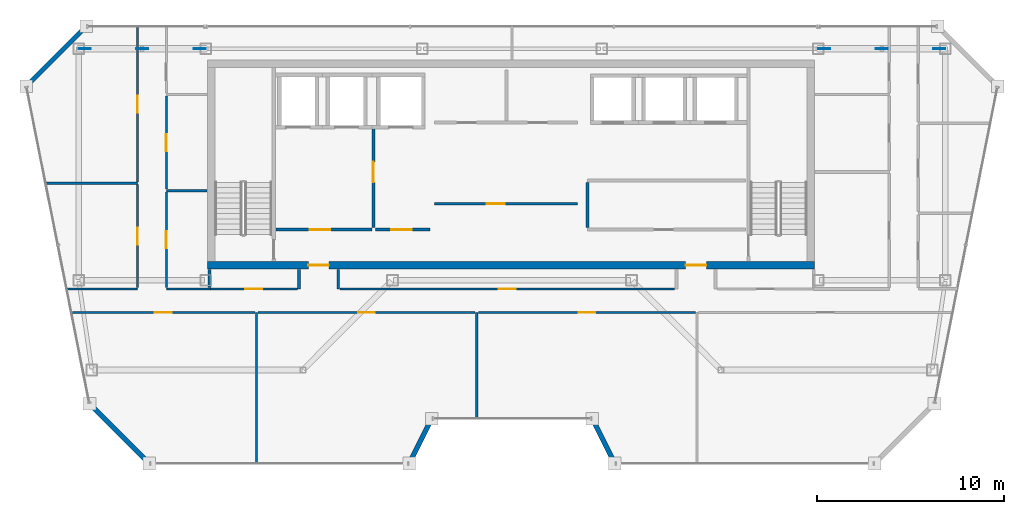
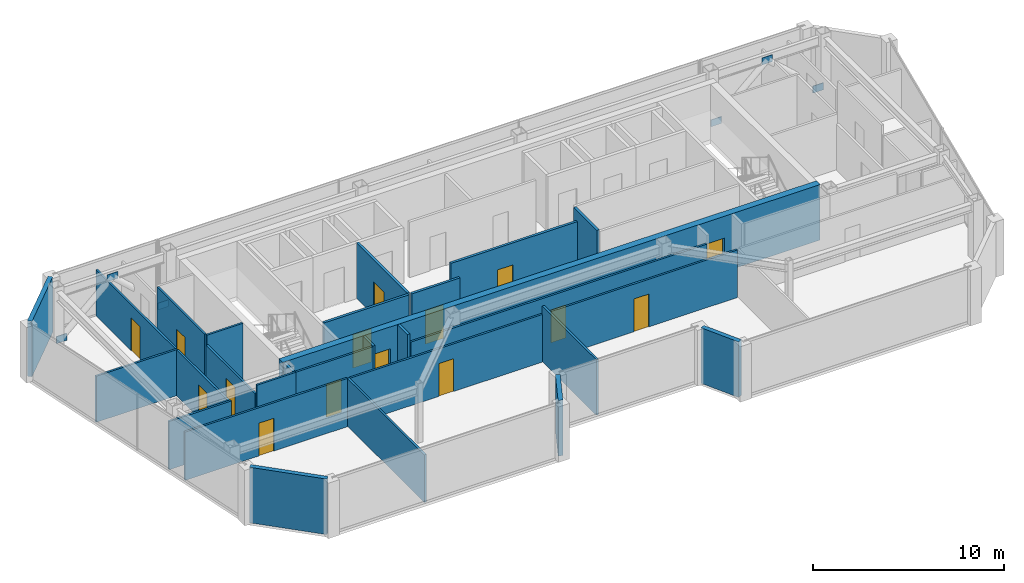
# One storey, part 18 of 23: 28 walls, 15 doors, 6 plates, 15 openings.
"""IFC4 building model written with IfcOpenShell, lengths in metres."""

from ifc_helpers import new_model, si_unit, direction, frame, frame_2d, origin, origin_2d, place, context, subcontext, project, spatial, rectangle, extrude, material, layer, layer_set, type_object, element, fill, save


model = new_model("IFC4")

# Units and contexts
model_context = context("Model", 3, precision=1e-05, world=origin(), true_north=direction((0.0, 1.0)))
body_context = subcontext(model_context, "Body", "Model", "MODEL_VIEW")
ifc_project = project(units=[si_unit("LENGTHUNIT", "METRE"), si_unit("AREAUNIT", "SQUARE_METRE"), si_unit("VOLUMEUNIT", "CUBIC_METRE"), si_unit("PLANEANGLEUNIT", "RADIAN"), si_unit("MASSUNIT", "GRAM", prefix="KILO")], contexts=[model_context])

# Site, building, storey
site_placement = place(None, origin())
site = spatial("IfcSite", under=ifc_project, at=site_placement, CompositionType="ELEMENT")
building_placement = place(site_placement, origin())
building = spatial("IfcBuilding", under=site, at=building_placement, Name="Saevonmaru Cultural Tower", CompositionType="ELEMENT")
storey_placement = place(building_placement, frame((0.0, 0.0, 302.800048828125)))
storey = spatial("IfcBuildingStorey", under=building, at=storey_placement, Name="L72", CompositionType="ELEMENT", Elevation=302.800048828125)

# Plates
ifc_material_1 = material(Name="Steel HSA600 (600 MPa)", Category="steel")
ifc_layer_1 = layer(ifc_material_1, 0.0400390625, Name="Steel HSA600 (600 MPa)")
ifc_layer_set_1 = layer_set([ifc_layer_1], Name="Steel HSA600 (600 MPa)")
plate_type = type_object("IfcPlateType", Name="PL-GUSSET-EXT", PredefinedType="USERDEFINED", material=ifc_layer_set_1)
for number, where, z_axis, x_axis, name in (
    (1, (10.199951171875, 54.800048828125, 2.89990234375), (0.0, 0.0, 1.0), (1.0, 0.0, 0.0), "L72 Perimeter Tube Gusset Plate"),
    (2, (7.1201171875, 54.800048828125, 0.02001953125), (0.0, 0.0, 1.0), (1.0, 0.0, 0.0), "L72 Perimeter Tube Gusset Plate"),
    (3, (13.280029296875, 54.800048828125, 0.02001953125), (0.0, 0.0, 1.0), (1.0, 0.0, 0.0), "L72 Perimeter Tube Gusset Plate"),
    (4, (49.800048828125, 54.800048828125, 2.89990234375), (0.0, 0.0, 1.0), (1.0, 0.0, 0.0), "L72 Perimeter Tube Gusset Plate"),
    (5, (46.719970703125, 54.800048828125, 0.02001953125), (0.0, 0.0, 1.0), (1.0, 0.0, 0.0), "L72 Perimeter Tube Gusset Plate"),
    (6, (52.8798828125, 54.800048828125, 0.02001953125), (0.0, 0.0, 1.0), (1.0, 0.0, 0.0), "L72 Perimeter Tube Gusset Plate"),
):
    element("IfcPlate", number, at=place(storey_placement, frame(where, z_axis=z_axis, x_axis=x_axis)), inside=storey, type_object=plate_type, Name=name, ObjectType="GUSSET_PLATE", PredefinedType="USERDEFINED", context=body_context, shape_type="SweptSolid", body=[
        extrude(rectangle(XDim=0.639892578125, YDim=0.0400390625, at=origin_2d()), origin(), (0.0, 0.0, 1.0), 0.43994140625),
    ])

# Wall, openings, doors
ifc_material_2 = material(Name="Concrete C50/60", Category="concrete")
ifc_layer_2 = layer(ifc_material_2, 0.39990234375, Name="Concrete C50/60")
ifc_layer_set_2 = layer_set([ifc_layer_2], Name="Concrete C50/60")
wall_type_1 = type_object("IfcWallType", Name="WL-CORE-400", PredefinedType="SHEAR", material=ifc_layer_set_2)
wall_1_placement = place(storey_placement, frame((13.699951171875, 43.199951171875, 0.0), z_axis=(0.0, 0.0, 1.0), x_axis=(1.0, 0.0, 0.0)))
wall_1 = element("IfcWall", 7, at=wall_1_placement, inside=storey, type_object=wall_type_1, Name="L72 Tower RC core shear wall S", PredefinedType="SHEAR", context=body_context, shape_type="SweptSolid", body=[
    extrude(rectangle(XDim=32.5, YDim=0.39990234375, at=frame_2d((16.25, 0.0))), origin(), (0.0, 0.0, 1.0), 3.550048828125),
])
opening_1_placement = place(wall_1_placement, frame((5.39990234375, 0.0, 0.0)))
opening_1 = element("IfcOpeningElement", 8, at=opening_1_placement, cuts=wall_1, Name="Opening FD-2", PredefinedType="OPENING", context=body_context, shape_type="SweptSolid", body=[
    extrude(rectangle(XDim=1.10009765625, YDim=2.14990234375, at=frame_2d((0.550048828125, 1.074951171875))), frame((0.0, 0.2099609375, 0.0), z_axis=(0.0, -1.0, 0.0), x_axis=(1.0, 0.0, 0.0)), (0.0, 0.0, 1.0), 0.419921875),
])
opening_2_placement = place(wall_1_placement, frame((25.60009765625, 0.0, 0.0)))
opening_2 = element("IfcOpeningElement", 9, at=opening_2_placement, cuts=wall_1, Name="Opening FD-2", PredefinedType="OPENING", context=body_context, shape_type="SweptSolid", body=[
    extrude(rectangle(XDim=1.10009765625, YDim=2.14990234375, at=frame_2d((0.550048828125, 1.074951171875))), frame((0.0, 0.2099609375, 0.0), z_axis=(0.0, -1.0, 0.0), x_axis=(1.0, 0.0, 0.0)), (0.0, 0.0, 1.0), 0.419921875),
])
ifc_material_3 = material(Name="Satin Bronze Anodised Aluminium", Category="aluminium")
door_type_1 = type_object("IfcDoorType", Name="DR-FD60-1100", OperationType="SINGLE_SWING_LEFT", PredefinedType="DOOR", material=ifc_material_3)
door_1_placement = place(opening_1_placement, origin())
door_1 = element("IfcDoor", 10, at=door_1_placement, inside=storey, type_object=door_type_1, Name="L72 Core West Lobby Fire Door", OperationType="SINGLE_SWING_LEFT", OverallHeight=2.14990234375, OverallWidth=1.10009765625, PredefinedType="DOOR", context=body_context, shape_type="SweptSolid", body=[
    extrude(rectangle(XDim=1.10009765625, YDim=2.14990234375, at=frame_2d((0.550048828125, 1.074951171875))), frame((0.0, 0.02490234375, 0.0), z_axis=(0.0, -1.0, 0.0), x_axis=(1.0, 0.0, 0.0)), (0.0, 0.0, 1.0), 0.050048828125),
])
fill(opening_1, door_1)
door_2_placement = place(opening_2_placement, origin())
door_2 = element("IfcDoor", 11, at=door_2_placement, inside=storey, type_object=door_type_1, Name="L72 Core East Lobby Fire Door", OperationType="SINGLE_SWING_LEFT", OverallHeight=2.14990234375, OverallWidth=1.10009765625, PredefinedType="DOOR", context=body_context, shape_type="SweptSolid", body=[
    extrude(rectangle(XDim=1.10009765625, YDim=2.14990234375, at=frame_2d((0.550048828125, 1.074951171875))), frame((0.0, 0.02490234375, 0.0), z_axis=(0.0, -1.0, 0.0), x_axis=(1.0, 0.0, 0.0)), (0.0, 0.0, 1.0), 0.050048828125),
])
fill(opening_2, door_2)

# Wall, opening, door
ifc_material_4 = material(Name="Gypsum Fireboard Partition", Category="gypsum")
ifc_layer_3 = layer(ifc_material_4, 0.14990234375, Name="Gypsum Fireboard Partition")
ifc_layer_set_3 = layer_set([ifc_layer_3], Name="Gypsum Fireboard Partition")
wall_type_2 = type_object("IfcWallType", Name="WL-CORE-PART-150", PredefinedType="PARTITIONING", material=ifc_layer_set_3)
wall_2_placement = place(storey_placement, frame((17.360107421875, 45.1201171875, 0.0), z_axis=(0.0, 0.0, 1.0), x_axis=(1.0, 0.0, 0.0)))
wall_2 = element("IfcWall", 12, at=wall_2_placement, inside=storey, type_object=wall_type_2, Name="L72 Firefighting Lift Lobby South Wall", PredefinedType="PARTITIONING", context=body_context, shape_type="SweptSolid", body=[
    extrude(rectangle(XDim=5.139892578125, YDim=0.14990234375, at=frame_2d((2.56982421875, 0.0))), origin(), (0.0, 0.0, 1.0), 3.550048828125),
])
opening_3_placement = place(wall_2_placement, frame((1.800048828125, 0.0, 0.0)))
opening_3 = element("IfcOpeningElement", 13, at=opening_3_placement, cuts=wall_2, Name="Opening FD-2", PredefinedType="OPENING", context=body_context, shape_type="SweptSolid", body=[
    extrude(rectangle(XDim=1.10009765625, YDim=2.14990234375, at=frame_2d((0.550048828125, 1.074951171875))), frame((0.0, 0.0849609375, 0.0), z_axis=(0.0, -1.0, 0.0), x_axis=(1.0, 0.0, 0.0)), (0.0, 0.0, 1.0), 0.169921875),
])
door_3_placement = place(opening_3_placement, origin())
door_3 = element("IfcDoor", 14, at=door_3_placement, inside=storey, type_object=door_type_1, Name="L72 Firefighting Lift Lobby South Door", OperationType="SINGLE_SWING_LEFT", OverallHeight=2.14990234375, OverallWidth=1.10009765625, PredefinedType="DOOR", context=body_context, shape_type="SweptSolid", body=[
    extrude(rectangle(XDim=1.10009765625, YDim=2.14990234375, at=frame_2d((0.550048828125, 1.074951171875))), frame((0.0, 0.02490234375, 0.0), z_axis=(0.0, -1.0, 0.0), x_axis=(1.0, 0.0, 0.0)), (0.0, 0.0, 1.0), 0.050048828125),
])
fill(opening_3, door_3)

wall_3_placement = place(storey_placement, frame((22.580078125, 50.550048828125, 0.0), z_axis=(0.0, 0.0, 1.0), x_axis=(0.0, -1.0, 0.0)))
wall_3 = element("IfcWall", 15, at=wall_3_placement, inside=storey, type_object=wall_type_2, Name="L72 Firefighting Lift Lobby East Wall", PredefinedType="PARTITIONING", context=body_context, shape_type="SweptSolid", body=[
    extrude(rectangle(XDim=5.330078125, YDim=0.14990234375, at=frame_2d((2.6650390625, 0.0))), origin(), (0.0, 0.0, 1.0), 3.550048828125),
])
opening_4_placement = place(wall_3_placement, frame((1.800048828125, 0.0, 0.0)))
opening_4 = element("IfcOpeningElement", 16, at=opening_4_placement, cuts=wall_3, Name="Opening FD-2", PredefinedType="OPENING", context=body_context, shape_type="SweptSolid", body=[
    extrude(rectangle(XDim=1.10009765625, YDim=2.14990234375, at=frame_2d((0.550048828125, 1.074951171875))), frame((0.0, 0.0849609375, 0.0), z_axis=(0.0, -1.0, 0.0), x_axis=(1.0, 0.0, 0.0)), (0.0, 0.0, 1.0), 0.169921875),
])
door_4_placement = place(opening_4_placement, origin())
door_4 = element("IfcDoor", 17, at=door_4_placement, inside=storey, type_object=door_type_1, Name="L72 Firefighting Lift Lobby East Door", OperationType="SINGLE_SWING_LEFT", OverallHeight=2.14990234375, OverallWidth=1.10009765625, PredefinedType="DOOR", context=body_context, shape_type="SweptSolid", body=[
    extrude(rectangle(XDim=1.10009765625, YDim=2.14990234375, at=frame_2d((0.550048828125, 1.074951171875))), frame((0.0, 0.02490234375, 0.0), z_axis=(0.0, -1.0, 0.0), x_axis=(1.0, 0.0, 0.0)), (0.0, 0.0, 1.0), 0.050048828125),
])
fill(opening_4, door_4)

wall_4_placement = place(storey_placement, frame((22.679931640625, 45.1201171875, 0.0), z_axis=(0.0, 0.0, 1.0), x_axis=(1.0, 0.0, 0.0)))
wall_4 = element("IfcWall", 18, at=wall_4_placement, inside=storey, type_object=wall_type_2, Name="L72 Service Lift Vestibule Wall", PredefinedType="PARTITIONING", context=body_context, shape_type="SweptSolid", body=[
    extrude(rectangle(XDim=2.920166015625, YDim=0.14990234375, at=frame_2d((1.4599609375, 0.0))), origin(), (0.0, 0.0, 1.0), 3.550048828125),
])
opening_5_placement = place(wall_4_placement, frame((0.85009765625, 0.0, 0.0)))
opening_5 = element("IfcOpeningElement", 19, at=opening_5_placement, cuts=wall_4, Name="Opening FD-2", PredefinedType="OPENING", context=body_context, shape_type="SweptSolid", body=[
    extrude(rectangle(XDim=1.10009765625, YDim=2.14990234375, at=frame_2d((0.550048828125, 1.074951171875))), frame((0.0, 0.0849609375, 0.0), z_axis=(0.0, -1.0, 0.0), x_axis=(1.0, 0.0, 0.0)), (0.0, 0.0, 1.0), 0.169921875),
])
door_5_placement = place(opening_5_placement, origin())
door_5 = element("IfcDoor", 20, at=door_5_placement, inside=storey, type_object=door_type_1, Name="L72 Service Lift Vestibule Door", OperationType="SINGLE_SWING_LEFT", OverallHeight=2.14990234375, OverallWidth=1.10009765625, PredefinedType="DOOR", context=body_context, shape_type="SweptSolid", body=[
    extrude(rectangle(XDim=1.10009765625, YDim=2.14990234375, at=frame_2d((0.550048828125, 1.074951171875))), frame((0.0, 0.02490234375, 0.0), z_axis=(0.0, -1.0, 0.0), x_axis=(1.0, 0.0, 0.0)), (0.0, 0.0, 1.0), 0.050048828125),
])
fill(opening_5, door_5)

# Wall
wall_5_placement = place(storey_placement, frame((34.050048828125, 45.219970703125, 0.0), z_axis=(0.0, 0.0, 1.0), x_axis=(0.0, 1.0, 0.0)))
element("IfcWall", 21, at=wall_5_placement, inside=storey, type_object=wall_type_2, Name="L72 Core Service West Wall", PredefinedType="PARTITIONING", context=body_context, shape_type="SweptSolid", body=[
    extrude(rectangle(XDim=2.429931640625, YDim=0.14990234375, at=frame_2d((1.21484375, 0.0))), origin(), (0.0, 0.0, 1.0), 3.550048828125),
])

# Wall, opening, door
wall_6_placement = place(storey_placement, frame((25.85009765625, 46.5, 0.0), z_axis=(0.0, 0.0, 1.0), x_axis=(1.0, 0.0, 0.0)))
wall_6 = element("IfcWall", 22, at=wall_6_placement, inside=storey, type_object=wall_type_2, Name="L72 Reclaimed Mid-Shaft Wall", PredefinedType="PARTITIONING", context=body_context, shape_type="SweptSolid", body=[
    extrude(rectangle(XDim=7.64990234375, YDim=0.14990234375, at=frame_2d((3.824951171875, 0.0))), origin(), (0.0, 0.0, 1.0), 3.550048828125),
])
opening_6_placement = place(wall_6_placement, frame((2.800048828125, 0.0, 0.0)))
opening_6 = element("IfcOpeningElement", 23, at=opening_6_placement, cuts=wall_6, Name="Opening FD-4", PredefinedType="OPENING", context=body_context, shape_type="SweptSolid", body=[
    extrude(rectangle(XDim=0.949951171875, YDim=2.14990234375, at=frame_2d((0.47509765625, 1.074951171875))), frame((0.0, 0.0849609375, 0.0), z_axis=(0.0, -1.0, 0.0), x_axis=(1.0, 0.0, 0.0)), (0.0, 0.0, 1.0), 0.169921875),
])
door_type_2 = type_object("IfcDoorType", Name="DR-FD60-950", OperationType="SINGLE_SWING_LEFT", PredefinedType="DOOR", material=ifc_material_3)
door_6_placement = place(opening_6_placement, origin())
door_6 = element("IfcDoor", 24, at=door_6_placement, inside=storey, type_object=door_type_2, Name="L72 Reclaimed Manuscript Storage Door", OperationType="SINGLE_SWING_LEFT", OverallHeight=2.14990234375, OverallWidth=0.949951171875, PredefinedType="DOOR", context=body_context, shape_type="SweptSolid", body=[
    extrude(rectangle(XDim=0.949951171875, YDim=2.14990234375, at=frame_2d((0.47509765625, 1.074951171875))), frame((0.0, 0.02490234375, 0.0), z_axis=(0.0, -1.0, 0.0), x_axis=(1.0, 0.0, 0.0)), (0.0, 0.0, 1.0), 0.050048828125),
])
fill(opening_6, door_6)

# Walls
ifc_material_5 = material(Name="Granite-Clad Precast Concrete C40/50", Category="masonry")
ifc_layer_4 = layer(ifc_material_5, 0.260009765625, Name="Granite-Clad Precast Concrete C40/50")
ifc_layer_set_4 = layer_set([ifc_layer_4], Name="Granite-Clad Precast Concrete C40/50")
wall_type_3 = type_object("IfcWallType", Name="WL-EXT-SPANDREL-260", PredefinedType="STANDARD", material=ifc_layer_set_4)
wall_7_placement = place(storey_placement, frame((7.4931640625, 35.68701171875, 0.0), z_axis=(0.0, 0.0, 1.0), x_axis=(0.70707775441, -0.707135806771, 0.0)))
element("IfcWall", 25, at=wall_7_placement, inside=storey, type_object=wall_type_3, Name="L72 Chamfer Corner Spandrel Wall E1", PredefinedType="STANDARD", context=body_context, shape_type="SweptSolid", body=[
    extrude(rectangle(XDim=4.20556640625, YDim=0.260009765625, at=frame_2d((2.102783203125, 0.0))), origin(), (0.0, 0.0, 1.0), 3.550048828125),
])
for number, where, z_axis, x_axis, name in (
    (26, (24.571533203125, 32.7431640625, 0.0), (0.0, 0.0, 1.0), (0.4472135955, 0.894427191, 0.0), "L72 Chamfer Corner Spandrel Wall E3"),
    (27, (34.37158203125, 34.85693359375, 0.0), (0.0, 0.0, 1.0), (0.4472135955, -0.894427191, 0.0), "L72 Chamfer Corner Spandrel Wall E5"),
):
    element("IfcWall", number, at=place(storey_placement, frame(where, z_axis=z_axis, x_axis=x_axis)), inside=storey, type_object=wall_type_3, Name=name, PredefinedType="STANDARD", context=body_context, shape_type="SweptSolid", body=[
        extrude(rectangle(XDim=2.36328125, YDim=0.260009765625, at=frame_2d((1.181640625, 0.0))), origin(), (0.0, 0.0, 1.0), 3.550048828125),
    ])
wall_8_placement = place(storey_placement, frame((7.0869140625, 55.886962890625, 0.0), z_axis=(0.0, 0.0, 1.0), x_axis=(-0.707106781187, -0.707106781187, 0.0)))
element("IfcWall", 28, at=wall_8_placement, inside=storey, type_object=wall_type_3, Name="L72 Chamfer Corner Spandrel Wall E11", PredefinedType="STANDARD", context=body_context, shape_type="SweptSolid", body=[
    extrude(rectangle(XDim=4.205810546875, YDim=0.260009765625, at=frame_2d((2.10302734375, 0.0))), origin(), (0.0, 0.0, 1.0), 3.550048828125),
])
ifc_layer_5 = layer(ifc_material_4, 0.14990234375, Name="Gypsum Fireboard Partition")
ifc_layer_set_5 = layer_set([ifc_layer_5], Name="Gypsum Fireboard Partition")
wall_type_4 = type_object("IfcWallType", Name="WL-PART-FIRE-150", PredefinedType="PARTITIONING", material=ifc_layer_set_5)
wall_9_placement = place(storey_placement, frame((13.800048828125, 42.02001953125, 0.0), z_axis=(0.0, 0.0, 1.0), x_axis=(0.0, 1.0, 0.0)))
element("IfcWall", 29, at=wall_9_placement, inside=storey, type_object=wall_type_4, Name="L72 Core Portal Side Wall W0", PredefinedType="PARTITIONING", context=body_context, shape_type="SweptSolid", body=[
    extrude(rectangle(XDim=0.9599609375, YDim=0.14990234375, at=frame_2d((0.47998046875, 0.0))), origin(), (0.0, 0.0, 1.0), 3.550048828125),
])
for number, where, z_axis, x_axis, name in (
    (30, (18.60009765625, 41.93994140625, 0.0), (0.0, 0.0, 1.0), (0.0, 1.0, 0.0), "L72 Core Portal Side Wall W1"),
    (31, (20.699951171875, 41.93994140625, 0.0), (0.0, 0.0, 1.0), (0.0, 1.0, 0.0), "L72 Core Portal Side Wall W2"),
):
    element("IfcWall", number, at=place(storey_placement, frame(where, z_axis=z_axis, x_axis=x_axis)), inside=storey, type_object=wall_type_4, Name=name, PredefinedType="PARTITIONING", context=body_context, shape_type="SweptSolid", body=[
        extrude(rectangle(XDim=1.0400390625, YDim=0.14990234375, at=frame_2d((0.52001953125, 0.0))), origin(), (0.0, 0.0, 1.0), 3.550048828125),
    ])
ifc_layer_6 = layer(ifc_material_4, 0.1201171875, Name="Gypsum Fireboard Partition")
ifc_layer_set_6 = layer_set([ifc_layer_6], Name="Gypsum Fireboard Partition")
wall_type_5 = type_object("IfcWallType", Name="WL-PART-GYP-120", PredefinedType="PARTITIONING", material=ifc_layer_set_6)
wall_10_placement = place(storey_placement, frame((6.164306640625, 41.93994140625, 0.0), z_axis=(0.0, 0.0, 1.0), x_axis=(1.0, 0.0, 0.0)))
element("IfcWall", 32, at=wall_10_placement, inside=storey, type_object=wall_type_5, Name="L72 NW Wing South Wall", PredefinedType="PARTITIONING", context=body_context, shape_type="SweptSolid", body=[
    extrude(rectangle(XDim=3.78564453125, YDim=0.1201171875, at=frame_2d((1.892822265625, 0.0))), origin(), (0.0, 0.0, 1.0), 3.0849609375),
])
wall_11_placement = place(storey_placement, frame((11.5, 41.93994140625, 0.0), z_axis=(0.0, 0.0, 1.0), x_axis=(1.0, 0.0, 0.0)))
element("IfcWall", 33, at=wall_11_placement, inside=storey, type_object=wall_type_5, Name="L72 NW Inner South Wall", PredefinedType="PARTITIONING", context=body_context, shape_type="SweptSolid", body=[
    extrude(rectangle(XDim=2.35009765625, YDim=0.1201171875, at=frame_2d((1.175048828125, 0.0))), origin(), (0.0, 0.0, 1.0), 3.550048828125),
])
wall_12_placement = place(storey_placement, frame((5.0390625, 47.60009765625, 0.0), z_axis=(0.0, 0.0, 1.0), x_axis=(1.0, 0.0, 0.0)))
element("IfcWall", 34, at=wall_12_placement, inside=storey, type_object=wall_type_5, Name="L72 NW Studio Divider 1", PredefinedType="PARTITIONING", context=body_context, shape_type="SweptSolid", body=[
    extrude(rectangle(XDim=4.910888671875, YDim=0.1201171875, at=frame_2d((2.45556640625, 0.0))), origin(), (0.0, 0.0, 1.0), 2.947021484375),
])

# Wall, opening, door
wall_13_placement = place(storey_placement, frame((9.949951171875, 42.02001953125, 0.0), z_axis=(0.0, 0.0, 1.0), x_axis=(0.0, 1.0, 0.0)))
wall_13 = element("IfcWall", 35, at=wall_13_placement, inside=storey, type_object=wall_type_5, Name="L72 Translation Research Office Corridor Wall", PredefinedType="PARTITIONING", context=body_context, shape_type="SweptSolid", body=[
    extrude(rectangle(XDim=5.5, YDim=0.1201171875, at=frame_2d((2.75, 0.0))), origin(), (0.0, 0.0, 1.0), 2.947021484375),
])
opening_7_placement = place(wall_13_placement, frame((2.300048828125, 0.0, 0.0)))
opening_7 = element("IfcOpeningElement", 36, at=opening_7_placement, cuts=wall_13, Name="Opening ID-2", PredefinedType="OPENING", context=body_context, shape_type="SweptSolid", body=[
    extrude(rectangle(XDim=0.89990234375, YDim=2.10009765625, at=frame_2d((0.449951171875, 1.050048828125))), frame((0.0, 0.070068359375, 0.0), z_axis=(0.0, -1.0, 0.0), x_axis=(1.0, 0.0, 0.0)), (0.0, 0.0, 1.0), 0.14013671875),
])
ifc_material_6 = material(Name="Acoustic Stained Oak Timber", Category="wood")
door_type_3 = type_object("IfcDoorType", Name="DR-INT-900", OperationType="SINGLE_SWING_RIGHT", PredefinedType="DOOR", material=ifc_material_6)
door_7_placement = place(opening_7_placement, origin())
door_7 = element("IfcDoor", 37, at=door_7_placement, inside=storey, type_object=door_type_3, Name="L72 Translation Research Office Door", OperationType="SINGLE_SWING_RIGHT", OverallHeight=2.10009765625, OverallWidth=0.89990234375, PredefinedType="DOOR", context=body_context, shape_type="SweptSolid", body=[
    extrude(rectangle(XDim=0.89990234375, YDim=2.10009765625, at=frame_2d((0.449951171875, 1.050048828125))), frame((0.0, 0.02490234375, 0.0), z_axis=(0.0, -1.0, 0.0), x_axis=(1.0, 0.0, 0.0)), (0.0, 0.0, 1.0), 0.050048828125),
])
fill(opening_7, door_7)

wall_14_placement = place(storey_placement, frame((9.949951171875, 47.679931640625, 0.0), z_axis=(0.0, 0.0, 1.0), x_axis=(0.0, 1.0, 0.0)))
wall_14 = element("IfcWall", 38, at=wall_14_placement, inside=storey, type_object=wall_type_5, Name="L72 Architecture Residency Office Corridor Wall", PredefinedType="PARTITIONING", context=body_context, shape_type="SweptSolid", body=[
    extrude(rectangle(XDim=8.315185546875, YDim=0.1201171875, at=frame_2d((4.15771484375, 0.0))), origin(), (0.0, 0.0, 1.0), 2.93505859375),
])
opening_8_placement = place(wall_14_placement, frame((3.70703125, 0.0, 0.0)))
opening_8 = element("IfcOpeningElement", 39, at=opening_8_placement, cuts=wall_14, Name="Opening ID-2", PredefinedType="OPENING", context=body_context, shape_type="SweptSolid", body=[
    extrude(rectangle(XDim=0.89990234375, YDim=2.10009765625, at=frame_2d((0.449951171875, 1.050048828125))), frame((0.0, 0.070068359375, 0.0), z_axis=(0.0, -1.0, 0.0), x_axis=(1.0, 0.0, 0.0)), (0.0, 0.0, 1.0), 0.14013671875),
])
door_8_placement = place(opening_8_placement, origin())
door_8 = element("IfcDoor", 40, at=door_8_placement, inside=storey, type_object=door_type_3, Name="L72 Architecture Residency Office Door", OperationType="SINGLE_SWING_LEFT", OverallHeight=2.10009765625, OverallWidth=0.89990234375, PredefinedType="DOOR", context=body_context, shape_type="SweptSolid", body=[
    extrude(rectangle(XDim=0.89990234375, YDim=2.10009765625, at=frame_2d((0.449951171875, 1.050048828125))), frame((0.0, 0.02490234375, 0.0), z_axis=(0.0, -1.0, 0.0), x_axis=(1.0, 0.0, 0.0)), (0.0, 0.0, 1.0), 0.050048828125),
])
fill(opening_8, door_8)

# Wall
wall_15_placement = place(storey_placement, frame((11.5, 47.199951171875, 0.0), z_axis=(0.0, 0.0, 1.0), x_axis=(1.0, 0.0, 0.0)))
element("IfcWall", 41, at=wall_15_placement, inside=storey, type_object=wall_type_5, Name="L72 NW Inner Divider", PredefinedType="PARTITIONING", context=body_context, shape_type="SweptSolid", body=[
    extrude(rectangle(XDim=2.179931640625, YDim=0.1201171875, at=frame_2d((1.08984375, 0.0))), origin(), (0.0, 0.0, 1.0), 3.550048828125),
])

# Wall, opening, door
wall_16_placement = place(storey_placement, frame((11.5, 42.02001953125, 0.0), z_axis=(0.0, 0.0, 1.0), x_axis=(0.0, 1.0, 0.0)))
wall_16 = element("IfcWall", 42, at=wall_16_placement, inside=storey, type_object=wall_type_5, Name="L72 Architecture Residency Office Corridor Wall", PredefinedType="PARTITIONING", context=body_context, shape_type="SweptSolid", body=[
    extrude(rectangle(XDim=5.10009765625, YDim=0.1201171875, at=frame_2d((2.550048828125, 0.0))), origin(), (0.0, 0.0, 1.0), 2.947021484375),
])
opening_9_placement = place(wall_16_placement, frame((2.10009765625, 0.0, 0.0)))
opening_9 = element("IfcOpeningElement", 43, at=opening_9_placement, cuts=wall_16, Name="Opening ID-2", PredefinedType="OPENING", context=body_context, shape_type="SweptSolid", body=[
    extrude(rectangle(XDim=0.89990234375, YDim=2.10009765625, at=frame_2d((0.449951171875, 1.050048828125))), frame((0.0, 0.070068359375, 0.0), z_axis=(0.0, -1.0, 0.0), x_axis=(1.0, 0.0, 0.0)), (0.0, 0.0, 1.0), 0.14013671875),
])
door_9_placement = place(opening_9_placement, origin())
door_9 = element("IfcDoor", 44, at=door_9_placement, inside=storey, type_object=door_type_3, Name="L72 Architecture Residency Office Door", OperationType="SINGLE_SWING_RIGHT", OverallHeight=2.10009765625, OverallWidth=0.89990234375, PredefinedType="DOOR", context=body_context, shape_type="SweptSolid", body=[
    extrude(rectangle(XDim=0.89990234375, YDim=2.10009765625, at=frame_2d((0.449951171875, 1.050048828125))), frame((0.0, 0.02490234375, 0.0), z_axis=(0.0, -1.0, 0.0), x_axis=(1.0, 0.0, 0.0)), (0.0, 0.0, 1.0), 0.050048828125),
])
fill(opening_9, door_9)

wall_17_placement = place(storey_placement, frame((11.5, 47.280029296875, 0.0), z_axis=(0.0, 0.0, 1.0), x_axis=(0.0, 1.0, 0.0)))
wall_17 = element("IfcWall", 45, at=wall_17_placement, inside=storey, type_object=wall_type_5, Name="L72 Literature Seminar Meeting Room Corridor Wall", PredefinedType="PARTITIONING", context=body_context, shape_type="SweptSolid", body=[
    extrude(rectangle(XDim=4.989990234375, YDim=0.1201171875, at=frame_2d((2.4951171875, 0.0))), origin(), (0.0, 0.0, 1.0), 3.550048828125),
])
opening_10_placement = place(wall_17_placement, frame((2.044921875, 0.0, 0.0)))
opening_10 = element("IfcOpeningElement", 46, at=opening_10_placement, cuts=wall_17, Name="Opening ID-2", PredefinedType="OPENING", context=body_context, shape_type="SweptSolid", body=[
    extrude(rectangle(XDim=0.89990234375, YDim=2.10009765625, at=frame_2d((0.449951171875, 1.050048828125))), frame((0.0, 0.070068359375, 0.0), z_axis=(0.0, -1.0, 0.0), x_axis=(1.0, 0.0, 0.0)), (0.0, 0.0, 1.0), 0.14013671875),
])
door_10_placement = place(opening_10_placement, origin())
door_10 = element("IfcDoor", 47, at=door_10_placement, inside=storey, type_object=door_type_3, Name="L72 Literature Seminar Meeting Room Door", OperationType="SINGLE_SWING_LEFT", OverallHeight=2.10009765625, OverallWidth=0.89990234375, PredefinedType="DOOR", context=body_context, shape_type="SweptSolid", body=[
    extrude(rectangle(XDim=0.89990234375, YDim=2.10009765625, at=frame_2d((0.449951171875, 1.050048828125))), frame((0.0, 0.02490234375, 0.0), z_axis=(0.0, -1.0, 0.0), x_axis=(1.0, 0.0, 0.0)), (0.0, 0.0, 1.0), 0.050048828125),
])
fill(opening_10, door_10)

wall_18_placement = place(storey_placement, frame((13.85009765625, 41.93994140625, 0.0), z_axis=(0.0, 0.0, 1.0), x_axis=(1.0, 0.0, 0.0)))
wall_18 = element("IfcWall", 48, at=wall_18_placement, inside=storey, type_object=wall_type_5, Name="L72 Translation Research Office Corridor Wall", PredefinedType="PARTITIONING", context=body_context, shape_type="SweptSolid", body=[
    extrude(rectangle(XDim=4.65478515625, YDim=0.1201171875, at=frame_2d((2.327392578125, 0.0))), origin(), (0.0, 0.0, 1.0), 3.550048828125),
])
opening_11_placement = place(wall_18_placement, frame((1.876953125, 0.0, 0.0)))
opening_11 = element("IfcOpeningElement", 49, at=opening_11_placement, cuts=wall_18, Name="Opening ID-2", PredefinedType="OPENING", context=body_context, shape_type="SweptSolid", body=[
    extrude(rectangle(XDim=0.89990234375, YDim=2.10009765625, at=frame_2d((0.449951171875, 1.050048828125))), frame((0.0, 0.070068359375, 0.0), z_axis=(0.0, -1.0, 0.0), x_axis=(1.0, 0.0, 0.0)), (0.0, 0.0, 1.0), 0.14013671875),
])
door_11_placement = place(opening_11_placement, origin())
door_11 = element("IfcDoor", 50, at=door_11_placement, inside=storey, type_object=door_type_3, Name="L72 Translation Research Office Door", OperationType="SINGLE_SWING_LEFT", OverallHeight=2.10009765625, OverallWidth=0.89990234375, PredefinedType="DOOR", context=body_context, shape_type="SweptSolid", body=[
    extrude(rectangle(XDim=0.89990234375, YDim=2.10009765625, at=frame_2d((0.449951171875, 1.050048828125))), frame((0.0, 0.02490234375, 0.0), z_axis=(0.0, -1.0, 0.0), x_axis=(1.0, 0.0, 0.0)), (0.0, 0.0, 1.0), 0.050048828125),
])
fill(opening_11, door_11)

wall_19_placement = place(storey_placement, frame((20.794921875, 41.93994140625, 0.0), z_axis=(0.0, 0.0, 1.0), x_axis=(1.0, 0.0, 0.0)))
wall_19 = element("IfcWall", 51, at=wall_19_placement, inside=storey, type_object=wall_type_5, Name="L72 Architecture Residency Office Corridor Wall", PredefinedType="PARTITIONING", context=body_context, shape_type="SweptSolid", body=[
    extrude(rectangle(XDim=17.91015625, YDim=0.1201171875, at=frame_2d((8.955078125, 0.0))), origin(), (0.0, 0.0, 1.0), 3.046875),
])
opening_12_placement = place(wall_19_placement, frame((8.5048828125, 0.0, 0.0)))
opening_12 = element("IfcOpeningElement", 52, at=opening_12_placement, cuts=wall_19, Name="Opening ID-2", PredefinedType="OPENING", context=body_context, shape_type="SweptSolid", body=[
    extrude(rectangle(XDim=0.89990234375, YDim=2.10009765625, at=frame_2d((0.449951171875, 1.050048828125))), frame((0.0, 0.070068359375, 0.0), z_axis=(0.0, -1.0, 0.0), x_axis=(1.0, 0.0, 0.0)), (0.0, 0.0, 1.0), 0.14013671875),
])
door_12_placement = place(opening_12_placement, origin())
door_12 = element("IfcDoor", 53, at=door_12_placement, inside=storey, type_object=door_type_3, Name="L72 Architecture Residency Office Door", OperationType="SINGLE_SWING_RIGHT", OverallHeight=2.10009765625, OverallWidth=0.89990234375, PredefinedType="DOOR", context=body_context, shape_type="SweptSolid", body=[
    extrude(rectangle(XDim=0.89990234375, YDim=2.10009765625, at=frame_2d((0.449951171875, 1.050048828125))), frame((0.0, 0.02490234375, 0.0), z_axis=(0.0, -1.0, 0.0), x_axis=(1.0, 0.0, 0.0)), (0.0, 0.0, 1.0), 0.050048828125),
])
fill(opening_12, door_12)

# Wall
wall_20_placement = place(storey_placement, frame((16.320068359375, 32.60498046875, 0.0), z_axis=(0.0, 0.0, 1.0), x_axis=(0.0, 1.0, 0.0)))
element("IfcWall", 54, at=wall_20_placement, inside=storey, type_object=wall_type_5, Name="L72 Observatory Bay Divider 1", PredefinedType="PARTITIONING", context=body_context, shape_type="SweptSolid", body=[
    extrude(rectangle(XDim=8.074951171875, YDim=0.1201171875, at=frame_2d((4.03759765625, 0.0))), origin(), (0.0, 0.0, 1.0), 3.046875),
])

# Wall, opening, door
wall_21_placement = place(storey_placement, frame((6.414794921875, 40.679931640625, 0.0), z_axis=(0.0, 0.0, 1.0), x_axis=(1.0, 0.0, 0.0)))
wall_21 = element("IfcWall", 55, at=wall_21_placement, inside=storey, type_object=wall_type_5, Name="L72 Translation Research Office Corridor Wall", PredefinedType="PARTITIONING", context=body_context, shape_type="SweptSolid", body=[
    extrude(rectangle(XDim=9.8251953125, YDim=0.1201171875, at=frame_2d((4.91259765625, 0.0))), origin(), (0.0, 0.0, 1.0), 3.0849609375),
])
opening_13_placement = place(wall_21_placement, frame((4.462890625, 0.0, 0.0)))
opening_13 = element("IfcOpeningElement", 56, at=opening_13_placement, cuts=wall_21, Name="Opening ID-2", PredefinedType="OPENING", context=body_context, shape_type="SweptSolid", body=[
    extrude(rectangle(XDim=0.89990234375, YDim=2.10009765625, at=frame_2d((0.449951171875, 1.050048828125))), frame((0.0, 0.070068359375, 0.0), z_axis=(0.0, -1.0, 0.0), x_axis=(1.0, 0.0, 0.0)), (0.0, 0.0, 1.0), 0.14013671875),
])
door_13_placement = place(opening_13_placement, origin())
door_13 = element("IfcDoor", 57, at=door_13_placement, inside=storey, type_object=door_type_3, Name="L72 Translation Research Office Door", OperationType="SINGLE_SWING_RIGHT", OverallHeight=2.10009765625, OverallWidth=0.89990234375, PredefinedType="DOOR", context=body_context, shape_type="SweptSolid", body=[
    extrude(rectangle(XDim=0.89990234375, YDim=2.10009765625, at=frame_2d((0.449951171875, 1.050048828125))), frame((0.0, 0.02490234375, 0.0), z_axis=(0.0, -1.0, 0.0), x_axis=(1.0, 0.0, 0.0)), (0.0, 0.0, 1.0), 0.050048828125),
])
fill(opening_13, door_13)

wall_22_placement = place(storey_placement, frame((16.39990234375, 40.679931640625, 0.0), z_axis=(0.0, 0.0, 1.0), x_axis=(1.0, 0.0, 0.0)))
wall_22 = element("IfcWall", 58, at=wall_22_placement, inside=storey, type_object=wall_type_5, Name="L72 Architecture Residency Office Corridor Wall", PredefinedType="PARTITIONING", context=body_context, shape_type="SweptSolid", body=[
    extrude(rectangle(XDim=11.62255859375, YDim=0.1201171875, at=frame_2d((5.811279296875, 0.0))), origin(), (0.0, 0.0, 1.0), 3.046875),
])
opening_14_placement = place(wall_22_placement, frame((5.361083984375, 0.0, 0.0)))
opening_14 = element("IfcOpeningElement", 59, at=opening_14_placement, cuts=wall_22, Name="Opening ID-2", PredefinedType="OPENING", context=body_context, shape_type="SweptSolid", body=[
    extrude(rectangle(XDim=0.89990234375, YDim=2.10009765625, at=frame_2d((0.449951171875, 1.050048828125))), frame((0.0, 0.070068359375, 0.0), z_axis=(0.0, -1.0, 0.0), x_axis=(1.0, 0.0, 0.0)), (0.0, 0.0, 1.0), 0.14013671875),
])
door_14_placement = place(opening_14_placement, origin())
door_14 = element("IfcDoor", 60, at=door_14_placement, inside=storey, type_object=door_type_3, Name="L72 Architecture Residency Office Door", OperationType="SINGLE_SWING_LEFT", OverallHeight=2.10009765625, OverallWidth=0.89990234375, PredefinedType="DOOR", context=body_context, shape_type="SweptSolid", body=[
    extrude(rectangle(XDim=0.89990234375, YDim=2.10009765625, at=frame_2d((0.449951171875, 1.050048828125))), frame((0.0, 0.02490234375, 0.0), z_axis=(0.0, -1.0, 0.0), x_axis=(1.0, 0.0, 0.0)), (0.0, 0.0, 1.0), 0.050048828125),
])
fill(opening_14, door_14)

wall_23_placement = place(storey_placement, frame((28.197509765625, 40.679931640625, 0.0), z_axis=(0.0, 0.0, 1.0), x_axis=(1.0, 0.0, 0.0)))
wall_23 = element("IfcWall", 61, at=wall_23_placement, inside=storey, type_object=wall_type_5, Name="L72 Literature Seminar Meeting Room Corridor Wall", PredefinedType="PARTITIONING", context=body_context, shape_type="SweptSolid", body=[
    extrude(rectangle(XDim=11.632568359375, YDim=0.1201171875, at=frame_2d((5.81640625, 0.0))), origin(), (0.0, 0.0, 1.0), 3.046875),
])
opening_15_placement = place(wall_23_placement, frame((5.365966796875, 0.0, 0.0)))
opening_15 = element("IfcOpeningElement", 62, at=opening_15_placement, cuts=wall_23, Name="Opening ID-2", PredefinedType="OPENING", context=body_context, shape_type="SweptSolid", body=[
    extrude(rectangle(XDim=0.89990234375, YDim=2.10009765625, at=frame_2d((0.449951171875, 1.050048828125))), frame((0.0, 0.070068359375, 0.0), z_axis=(0.0, -1.0, 0.0), x_axis=(1.0, 0.0, 0.0)), (0.0, 0.0, 1.0), 0.14013671875),
])
door_15_placement = place(opening_15_placement, origin())
door_15 = element("IfcDoor", 63, at=door_15_placement, inside=storey, type_object=door_type_3, Name="L72 Literature Seminar Meeting Room Door", OperationType="SINGLE_SWING_RIGHT", OverallHeight=2.10009765625, OverallWidth=0.89990234375, PredefinedType="DOOR", context=body_context, shape_type="SweptSolid", body=[
    extrude(rectangle(XDim=0.89990234375, YDim=2.10009765625, at=frame_2d((0.449951171875, 1.050048828125))), frame((0.0, 0.02490234375, 0.0), z_axis=(0.0, -1.0, 0.0), x_axis=(1.0, 0.0, 0.0)), (0.0, 0.0, 1.0), 0.050048828125),
])
fill(opening_15, door_15)

# Wall
ifc_layer_7 = layer(ifc_material_4, 0.135009765625, Name="Gypsum Fireboard Partition")
ifc_layer_set_7 = layer_set([ifc_layer_7], Name="Gypsum Fireboard Partition")
wall_type_6 = type_object("IfcWallType", Name="WL-PART-GYP-135", PredefinedType="PARTITIONING", material=ifc_layer_set_7)
wall_24_placement = place(storey_placement, frame((28.110107421875, 35.0048828125, 0.0), z_axis=(0.0, 0.0, 1.0), x_axis=(0.0, 1.0, 0.0)))
element("IfcWall", 64, at=wall_24_placement, inside=storey, type_object=wall_type_6, Name="L72 Observatory Bay Divider 2", PredefinedType="PARTITIONING", context=body_context, shape_type="SweptSolid", body=[
    extrude(rectangle(XDim=5.675048828125, YDim=0.135009765625, at=frame_2d((2.83740234375, 0.0))), origin(), (0.0, 0.0, 1.0), 3.550048828125),
])

save(model, "model.ifc")
